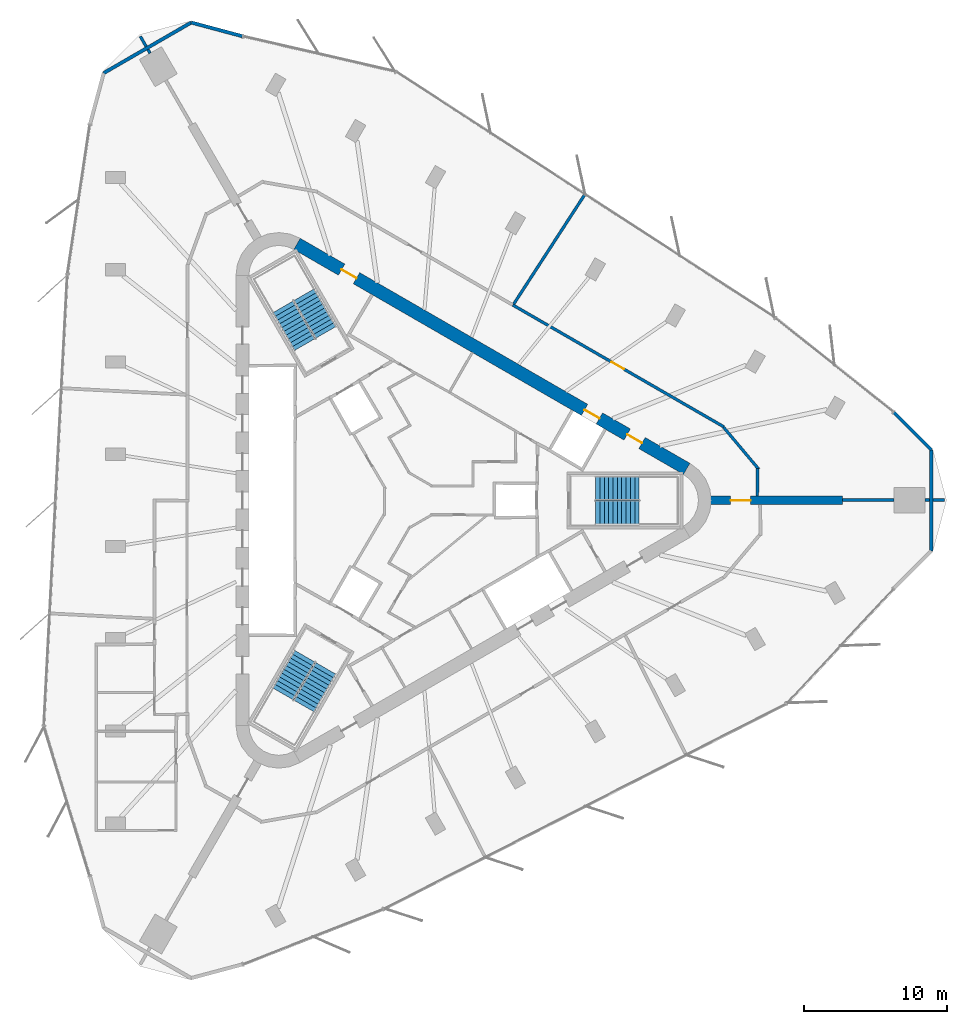
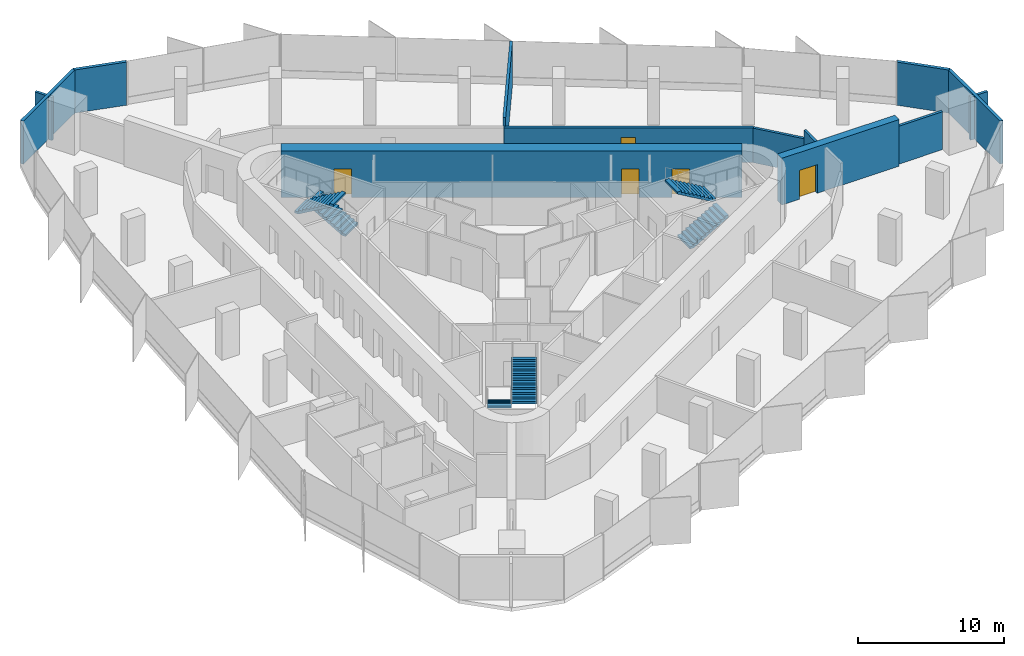
# One storey, part 12 of 13: 15 walls, 6 stair flights, 5 doors, 5 openings, 3 elements without a shape of their own.
"""IFC4 building model written with IfcOpenShell, lengths in metres."""

from ifc_helpers import new_model, si_unit, direction, frame, frame_2d, origin, place, context, subcontext, project, spatial, polyline, rectangle, outline, extrude, material, layer, layer_set, type_object, element, fill, aggregate, save


model = new_model("IFC4")

# Units and contexts
model_context = context("Model", 3, precision=1e-05, world=origin(), true_north=direction((0.0, 1.0)))
body_context = subcontext(model_context, "Body", "Model", "MODEL_VIEW")
ifc_project = project(units=[si_unit("LENGTHUNIT", "METRE"), si_unit("AREAUNIT", "SQUARE_METRE"), si_unit("VOLUMEUNIT", "CUBIC_METRE"), si_unit("PLANEANGLEUNIT", "RADIAN"), si_unit("MASSUNIT", "GRAM", prefix="KILO")], contexts=[model_context])

# Site, building, storey
site_placement = place(None, origin())
site = spatial("IfcSite", under=ifc_project, at=site_placement, CompositionType="ELEMENT")
building_placement = place(site_placement, origin())
building = spatial("IfcBuilding", under=site, at=building_placement, Name="Tanit Gate Tower", CompositionType="ELEMENT")
storey_placement = place(building_placement, frame((0.0, 0.0, 318.199951171875)))
storey = spatial("IfcBuildingStorey", under=building, at=storey_placement, Name="L71", CompositionType="ELEMENT", Elevation=318.199951171875)

# Wall, opening, door
ifc_material_1 = material(Name="Concrete C40/50", Category="concrete")
ifc_layer_1 = layer(ifc_material_1, 0.60009765625)
ifc_layer_set_1 = layer_set([ifc_layer_1], Name="BUTTRESS FIN 600 C40/50")
wall_type_1 = type_object("IfcWallType", Name="BUTTRESS FIN 600 C40/50", PredefinedType="SHEAR", material=ifc_layer_set_1)
wall_1_placement = place(storey_placement, frame((21.14990234375, 0.0, 0.0), z_axis=(0.0, 0.0, 1.0), x_axis=(1.0, 0.0, 0.0)))
wall_1 = element("IfcWall", 1, at=wall_1_placement, inside=storey, type_object=wall_type_1, Name="BUTTRESS FIN", PredefinedType="SHEAR", context=body_context, shape_type="SweptSolid", body=[
    extrude(rectangle(XDim=9.253662109375, YDim=0.60009765625, at=frame_2d((4.626953125, 0.0))), origin(), (0.0, 0.0, 1.0), 3.900146484375),
])
opening_1_placement = place(wall_1_placement, frame((1.39990234375, 0.0, 0.0)))
opening_1 = element("IfcOpeningElement", 2, at=opening_1_placement, cuts=wall_1, Name="Opening P14-S19-F-E-1", PredefinedType="OPENING", context=body_context, shape_type="SweptSolid", body=[
    extrude(rectangle(XDim=1.39990234375, YDim=2.39990234375, at=frame_2d((0.699951171875, 1.199951171875))), frame((0.0, 0.31005859375, 0.0), z_axis=(0.0, -1.0, 0.0), x_axis=(1.0, 0.0, 0.0)), (0.0, 0.0, 1.0), 0.6201171875),
])
ifc_material_2 = material(Name="Timber door leaf", Category="wood")
door_type_1 = type_object("IfcDoorType", Name="INT-DOOR-FIN-PAIR-1400", OperationType="NOTDEFINED", PredefinedType="NOTDEFINED", material=ifc_material_2)
door_1_placement = place(opening_1_placement, origin())
door_1 = element("IfcDoor", 3, at=door_1_placement, inside=storey, type_object=door_type_1, Name="Door P14-S19-F-E-1", OperationType="DOUBLE_DOOR_SINGLE_SWING", OverallHeight=2.39990234375, OverallWidth=1.39990234375, PredefinedType="NOTDEFINED", context=body_context, shape_type="SweptSolid", body=[
    extrude(rectangle(XDim=1.39990234375, YDim=2.39990234375, at=frame_2d((0.699951171875, 1.199951171875))), frame((0.0, 0.02490234375, 0.0), z_axis=(0.0, -1.0, 0.0), x_axis=(1.0, 0.0, 0.0)), (0.0, 0.0, 1.0), 0.050048828125),
])
fill(opening_1, door_1)

# Wall, openings, doors
ifc_material_3 = material(Name="Concrete C40/50", Category="concrete")
ifc_layer_2 = layer(ifc_material_3, 0.89990234375)
ifc_layer_set_2 = layer_set([ifc_layer_2], Name="CORE WALL 900 C40/50")
wall_type_2 = type_object("IfcWallType", Name="CORE WALL 900 C40/50", PredefinedType="SHEAR", material=ifc_layer_set_2)
wall_2_placement = place(storey_placement, frame((19.47509765625, 2.20849609375, 0.0), z_axis=(0.0, 0.0, 1.0), x_axis=(-0.866028369851, 0.499994862586, 0.0)))
wall_2 = element("IfcWall", 4, at=wall_2_placement, inside=storey, type_object=wall_type_2, Name="CORE WALL", PredefinedType="SHEAR", context=body_context, shape_type="SweptSolid", body=[
    extrude(rectangle(XDim=31.523193359375, YDim=0.89990234375, at=frame_2d((15.76171875, 0.0))), origin(), (0.0, 0.0, 1.0), 3.900146484375),
])
opening_2_placement = place(wall_2_placement, frame((7.0615234375, 0.0, 0.0)))
opening_2 = element("IfcOpeningElement", 5, at=opening_2_placement, cuts=wall_2, Name="Opening LDHL8-S19", PredefinedType="OPENING", context=body_context, shape_type="SweptSolid", body=[
    extrude(rectangle(XDim=1.199951171875, YDim=2.39990234375, at=frame_2d((0.60009765625, 1.199951171875))), frame((0.0, 0.4599609375, 0.0), z_axis=(0.0, -1.0, 0.0), x_axis=(1.0, 0.0, 0.0)), (0.0, 0.0, 1.0), 0.919921875),
])
opening_3_placement = place(wall_2_placement, frame((3.611572265625, 0.0, 0.0)))
opening_3 = element("IfcOpeningElement", 6, at=opening_3_placement, cuts=wall_2, Name="Opening F12-S19-FL1", PredefinedType="OPENING", context=body_context, shape_type="SweptSolid", body=[
    extrude(rectangle(XDim=1.199951171875, YDim=2.39990234375, at=frame_2d((0.60009765625, 1.199951171875))), frame((0.0, 0.4599609375, 0.0), z_axis=(0.0, -1.0, 0.0), x_axis=(1.0, 0.0, 0.0)), (0.0, 0.0, 1.0), 0.919921875),
])
opening_4_placement = place(wall_2_placement, frame((26.711669921875, 0.0, 0.0)))
opening_4 = element("IfcOpeningElement", 7, at=opening_4_placement, cuts=wall_2, Name="Opening F12-S19-S2", PredefinedType="OPENING", context=body_context, shape_type="SweptSolid", body=[
    extrude(rectangle(XDim=1.199951171875, YDim=2.39990234375, at=frame_2d((0.60009765625, 1.199951171875))), frame((0.0, 0.4599609375, 0.0), z_axis=(0.0, -1.0, 0.0), x_axis=(1.0, 0.0, 0.0)), (0.0, 0.0, 1.0), 0.919921875),
])
ifc_material_4 = material(Name="Fire-rated steel door leaf", Category="steel")
door_type_2 = type_object("IfcDoorType", Name="INT-DOOR-FIRE-LOBBY-1200", OperationType="NOTDEFINED", PredefinedType="USERDEFINED", material=ifc_material_4)
door_2_placement = place(opening_3_placement, origin())
door_2 = element("IfcDoor", 8, at=door_2_placement, inside=storey, type_object=door_type_2, Name="Door F12-S19-FL1", ObjectType="FIRE DOOR", OperationType="SINGLE_SWING_RIGHT", OverallHeight=2.39990234375, OverallWidth=1.199951171875, PredefinedType="USERDEFINED", context=body_context, shape_type="SweptSolid", body=[
    extrude(rectangle(XDim=1.199951171875, YDim=2.39990234375, at=frame_2d((0.60009765625, 1.199951171875))), frame((0.0, 0.02490234375, 0.0), z_axis=(0.0, -1.0, 0.0), x_axis=(1.0, 0.0, 0.0)), (0.0, 0.0, 1.0), 0.050048828125),
])
fill(opening_3, door_2)
door_3_placement = place(opening_4_placement, origin())
door_3 = element("IfcDoor", 9, at=door_3_placement, inside=storey, type_object=door_type_2, Name="Door F12-S19-S2", ObjectType="FIRE DOOR", OperationType="SINGLE_SWING_LEFT", OverallHeight=2.39990234375, OverallWidth=1.199951171875, PredefinedType="USERDEFINED", context=body_context, shape_type="SweptSolid", body=[
    extrude(rectangle(XDim=1.199951171875, YDim=2.39990234375, at=frame_2d((0.60009765625, 1.199951171875))), frame((0.0, 0.02490234375, 0.0), z_axis=(0.0, -1.0, 0.0), x_axis=(1.0, 0.0, 0.0)), (0.0, 0.0, 1.0), 0.050048828125),
])
fill(opening_4, door_3)
ifc_material_5 = material(Name="Stainless steel sliding door leaf", Category="steel")
door_type_3 = type_object("IfcDoorType", Name="INT-DOOR-LANDING-1200", OperationType="NOTDEFINED", PredefinedType="USERDEFINED", material=ifc_material_5)
door_4_placement = place(opening_2_placement, origin())
door_4 = element("IfcDoor", 10, at=door_4_placement, inside=storey, type_object=door_type_3, Name="Door LDHL8-S19", ObjectType="LANDING DOOR", OperationType="SLIDING_TO_LEFT", OverallHeight=2.39990234375, OverallWidth=1.199951171875, PredefinedType="USERDEFINED", context=body_context, shape_type="SweptSolid", body=[
    extrude(rectangle(XDim=1.199951171875, YDim=2.39990234375, at=frame_2d((0.60009765625, 1.199951171875))), frame((0.0, 0.02490234375, 0.0), z_axis=(0.0, -1.0, 0.0), x_axis=(1.0, 0.0, 0.0)), (0.0, 0.0, 1.0), 0.050048828125),
])
fill(opening_2, door_4)

# Walls
ifc_material_6 = material(Name="Concrete C30/37 with bronze anodised aluminium cladding", Category="concrete")
ifc_layer_3 = layer(ifc_material_6, 0.239990234375)
ifc_layer_set_3 = layer_set([ifc_layer_3], Name="Facade wall bronze clad 240")
wall_type_3 = type_object("IfcWallType", Name="Facade wall bronze clad 240", PredefinedType="SOLIDWALL", material=ifc_layer_set_3)
wall_3_placement = place(storey_placement, frame((-11.654296875, 32.517822265625, 0.0), z_axis=(0.0, 0.0, 1.0), x_axis=(-0.965928052649, 0.258810736071, 0.0)))
element("IfcWall", 11, at=wall_3_placement, inside=storey, type_object=wall_type_3, Name="Bronze-clad facade wall L71 NW.arc1", PredefinedType="SOLIDWALL", context=body_context, shape_type="SweptSolid", body=[
    extrude(rectangle(XDim=3.705322265625, YDim=0.239990234375, at=frame_2d((1.8525390625, 0.0))), origin(), (0.0, 0.0, 1.0), 3.60009765625),
])
wall_4_placement = place(storey_placement, frame((-15.2333984375, 33.476806640625, 0.0), z_axis=(0.0, 0.0, 1.0), x_axis=(-0.866031377081, -0.499989653803, 0.0)))
element("IfcWall", 12, at=wall_4_placement, inside=storey, type_object=wall_type_3, Name="Bronze-clad facade wall L71 NW.arc2", PredefinedType="SOLIDWALL", context=body_context, shape_type="SweptSolid", body=[
    extrude(rectangle(XDim=7.092041015625, YDim=0.239990234375, at=frame_2d((3.5458984375, 0.0))), origin(), (0.0, 0.0, 1.0), 3.60009765625),
])
wall_5_placement = place(storey_placement, frame((36.6083984375, -3.5458984375, 0.0), z_axis=(0.0, 0.0, 1.0), x_axis=(0.0, 1.0, 0.0)))
element("IfcWall", 13, at=wall_5_placement, inside=storey, type_object=wall_type_3, Name="Bronze-clad facade wall L71 E.arc2", PredefinedType="SOLIDWALL", context=body_context, shape_type="SweptSolid", body=[
    extrude(rectangle(XDim=7.091796875, YDim=0.239990234375, at=frame_2d((3.5458984375, 0.0))), origin(), (0.0, 0.0, 1.0), 3.60009765625),
])
wall_6_placement = place(storey_placement, frame((36.6083984375, 3.5458984375, 0.0), z_axis=(0.0, 0.0, 1.0), x_axis=(-0.707106781187, 0.707106781187, 0.0)))
element("IfcWall", 14, at=wall_6_placement, inside=storey, type_object=wall_type_3, Name="Bronze-clad facade wall L71 E.arc3", PredefinedType="SOLIDWALL", context=body_context, shape_type="SweptSolid", body=[
    extrude(rectangle(XDim=3.696533203125, YDim=0.239990234375, at=frame_2d((1.84814453125, 0.0))), origin(), (0.0, 0.0, 1.0), 3.60009765625),
])

# Wall, opening, door
ifc_material_7 = material(Name="Fire-rated gypsum board partition")
ifc_layer_4 = layer(ifc_material_7, 0.199951171875)
ifc_layer_set_4 = layer_set([ifc_layer_4], Name="INT-WALL-COMPARTMENT")
wall_type_4 = type_object("IfcWallType", Name="INT-WALL-COMPARTMENT", PredefinedType="PARTITIONING", material=ifc_layer_set_4)
wall_7_placement = place(storey_placement, frame((22.074462890625, 5.153076171875, 0.0), z_axis=(0.0, 0.0, 1.0), x_axis=(-0.866024844342, 0.500000968981, 0.0)))
wall_7 = element("IfcWall", 15, at=wall_7_placement, inside=storey, type_object=wall_type_4, Name="Wall Compartment W107", PredefinedType="PARTITIONING", context=body_context, shape_type="SweptSolid", body=[
    extrude(rectangle(XDim=17.07275390625, YDim=0.199951171875, at=frame_2d((8.536376953125, 0.0))), origin(), (0.0, 0.0, 1.0), 2.880126953125),
])
opening_5_placement = place(wall_7_placement, frame((8.074951171875, 0.0, 0.0)))
opening_5 = element("IfcOpeningElement", 16, at=opening_5_placement, cuts=wall_7, Name="Opening F10-S19-29", PredefinedType="OPENING", context=body_context, shape_type="SweptSolid", body=[
    extrude(rectangle(XDim=1.0, YDim=2.10009765625, at=frame_2d((0.5, 1.050048828125))), frame((0.0, 0.10986328125, 0.0), z_axis=(0.0, -1.0, 0.0), x_axis=(1.0, 0.0, 0.0)), (0.0, 0.0, 1.0), 0.219970703125),
])
ifc_material_8 = material(Name="Fire-rated steel door leaf", Category="steel")
door_type_4 = type_object("IfcDoorType", Name="INT-DOOR-FIRE-1000", OperationType="NOTDEFINED", PredefinedType="USERDEFINED", material=ifc_material_8)
door_5_placement = place(opening_5_placement, origin())
door_5 = element("IfcDoor", 17, at=door_5_placement, inside=storey, type_object=door_type_4, Name="Door F10-S19-29", ObjectType="FIRE DOOR", OperationType="SINGLE_SWING_RIGHT", OverallHeight=2.10009765625, OverallWidth=1.0, PredefinedType="USERDEFINED", context=body_context, shape_type="SweptSolid", body=[
    extrude(rectangle(XDim=1.0, YDim=2.10009765625, at=frame_2d((0.5, 1.050048828125))), frame((0.0, 0.02490234375, 0.0), z_axis=(0.0, -1.0, 0.0), x_axis=(1.0, 0.0, 0.0)), (0.0, 0.0, 1.0), 0.050048828125),
])
fill(opening_5, door_5)

# Walls
wall_8_placement = place(storey_placement, frame((24.520751953125, 2.1845703125, 0.0), z_axis=(0.0, 0.0, 1.0), x_axis=(-0.642781993054, 0.766049155998, 0.0)))
element("IfcWall", 18, at=wall_8_placement, inside=storey, type_object=wall_type_4, Name="Wall Compartment W108", PredefinedType="PARTITIONING", context=body_context, shape_type="SweptSolid", body=[
    extrude(rectangle(XDim=3.84033203125, YDim=0.199951171875, at=frame_2d((1.920166015625, 0.0))), origin(), (0.0, 0.0, 1.0), 2.880126953125),
])
wall_9_placement = place(storey_placement, frame((24.420166015625, 0.300048828125, 0.0), z_axis=(0.0, 0.0, 1.0), x_axis=(0.013193472226, 0.999912962358, 0.0)))
element("IfcWall", 19, at=wall_9_placement, inside=storey, type_object=wall_type_4, Name="Wall Compartment W109", PredefinedType="PARTITIONING", context=body_context, shape_type="SweptSolid", body=[
    extrude(rectangle(XDim=1.924560546875, YDim=0.199951171875, at=frame_2d((0.96240234375, 0.0))), origin(), (0.0, 0.0, 1.0), 3.60009765625),
])
wall_10_placement = place(storey_placement, frame((-18.80126953125, 32.5048828125, 0.0), z_axis=(0.0, 0.0, 1.0), x_axis=(0.499970888758, -0.866042210515, 0.0)))
element("IfcWall", 20, at=wall_10_placement, inside=storey, type_object=wall_type_4, Name="Wall Compartment W130", PredefinedType="PARTITIONING", context=body_context, shape_type="SweptSolid", body=[
    extrude(rectangle(XDim=0.822265625, YDim=0.199951171875, at=frame_2d((0.4111328125, 0.0))), origin(), (0.0, 0.0, 1.0), 3.60009765625),
])
wall_11_placement = place(storey_placement, frame((-18.270263671875, 31.5849609375, 0.0), z_axis=(0.0, 0.0, 1.0), x_axis=(0.500091252813, -0.865972712538, 0.0)))
element("IfcWall", 21, at=wall_11_placement, inside=storey, type_object=wall_type_4, Name="Wall Compartment W130x1", PredefinedType="PARTITIONING", context=body_context, shape_type="SweptSolid", body=[
    extrude(rectangle(XDim=0.3056640625, YDim=0.199951171875, at=frame_2d((0.15283203125, 0.0))), origin(), (0.0, 0.0, 1.0), 3.60009765625),
])
wall_12_placement = place(storey_placement, frame((7.36328125, 13.76220703125, 0.0), z_axis=(0.0, 0.0, 1.0), x_axis=(0.544349469572, 0.838858542888, 0.0)))
element("IfcWall", 22, at=wall_12_placement, inside=storey, type_object=wall_type_4, Name="Wall Compartment W132", PredefinedType="PARTITIONING", context=body_context, shape_type="SweptSolid", body=[
    extrude(rectangle(XDim=9.1494140625, YDim=0.199951171875, at=frame_2d((4.57470703125, 0.0))), origin(), (0.0, 0.0, 1.0), 3.60009765625),
])
wall_13_placement = place(storey_placement, frame((30.403564453125, 0.0185546875, 0.0), z_axis=(0.0, 0.0, 1.0), x_axis=(0.999994861514, 0.00320576758, 0.0)))
element("IfcWall", 23, at=wall_13_placement, inside=storey, type_object=wall_type_4, Name="Wall Compartment W133", PredefinedType="PARTITIONING", context=body_context, shape_type="SweptSolid", body=[
    extrude(rectangle(XDim=3.579345703125, YDim=0.199951171875, at=frame_2d((1.78955078125, 0.0))), origin(), (0.0, 0.0, 1.0), 3.170166015625),
])
wall_14_placement = place(storey_placement, frame((36.182861328125, 0.030029296875, 0.0), z_axis=(0.0, 0.0, 1.0), x_axis=(1.0, 0.0, 0.0)))
element("IfcWall", 24, at=wall_14_placement, inside=storey, type_object=wall_type_4, Name="Wall Compartment W134", PredefinedType="PARTITIONING", context=body_context, shape_type="SweptSolid", body=[
    extrude(rectangle(XDim=0.3056640625, YDim=0.199951171875, at=frame_2d((0.15283203125, 0.0))), origin(), (0.0, 0.0, 1.0), 3.60009765625),
])
wall_15_placement = place(storey_placement, frame((36.728515625, 0.030029296875, 0.0), z_axis=(0.0, 0.0, 1.0), x_axis=(1.0, 0.0, 0.0)))
element("IfcWall", 25, at=wall_15_placement, inside=storey, type_object=wall_type_4, Name="Wall Compartment W134x1", PredefinedType="PARTITIONING", context=body_context, shape_type="SweptSolid", body=[
    extrude(rectangle(XDim=0.822021484375, YDim=0.199951171875, at=frame_2d((0.4111328125, 0.0))), origin(), (0.0, 0.0, 1.0), 3.60009765625),
])

# Stair, stair flights
ifc_material_9 = material(Name="Concrete C40/50", Category="concrete")
stair_type = type_object("IfcStairType", Name="INT-STAIR-EXIT", PredefinedType="HALF_TURN_STAIR", material=ifc_material_9)
stair_1_placement = place(storey_placement, origin())
stair_1 = element("IfcStair", 26, at=stair_1_placement, inside=storey, type_object=stair_type, Name="L71 STAIR S1", PredefinedType="HALF_TURN_STAIR")
ifc_material_10 = material(Name="Concrete C40/50", Category="concrete")
stair_flight_type = type_object("IfcStairFlightType", Name="INT-STAIR-FLIGHT", PredefinedType="STRAIGHT", material=ifc_material_10)
stair_flight_1_placement = place(storey_placement, frame((13.094970703125, -0.8525390625, 0.0), z_axis=(0.0, 0.0, 1.0), x_axis=(1.0, 0.0, 0.0)))
stair_flight_1 = element("IfcStairFlight", 27, at=stair_flight_1_placement, type_object=stair_flight_type, Name="S1 flight 1", NumberOfRisers=11, NumberOfTreads=10, PredefinedType="STRAIGHT", RiserHeight=0.177272727, TreadLength=0.3051, context=body_context, shape_type="SweptSolid", body=[
    extrude(outline(polyline([(0.0, 0.0), (0.0, 0.17724609375), (0.30517578125, 0.17724609375), (0.30517578125, 0.3544921875), (0.610107421875, 0.3544921875), (0.610107421875, 0.53173828125), (0.915283203125, 0.53173828125), (0.915283203125, 0.708984375), (1.220458984375, 0.708984375), (1.220458984375, 0.886474609375), (1.525390625, 0.886474609375), (1.525390625, 1.063720703125), (1.83056640625, 1.063720703125), (1.83056640625, 1.240966796875), (2.1357421875, 1.240966796875), (2.1357421875, 1.418212890625), (2.44091796875, 1.418212890625), (2.44091796875, 1.595458984375), (2.745849609375, 1.595458984375), (2.745849609375, 1.772705078125), (3.051025390625, 1.772705078125), (3.051025390625, 1.949951171875), (3.051025390625, 1.599365234375), (0.29833984375, 0.0), (0.0, 0.0)])), frame((0.0, 0.84765625, 0.0), z_axis=(0.0, -1.0, 0.0), x_axis=(1.0, 0.0, 0.0)), (0.0, 0.0, 1.0), 1.695068359375),
])
stair_flight_2_placement = place(storey_placement, frame((16.14599609375, 0.8525390625, 1.949951171875), z_axis=(0.0, 0.0, 1.0), x_axis=(-1.0, 0.0, 0.0)))
stair_flight_2 = element("IfcStairFlight", 28, at=stair_flight_2_placement, type_object=stair_flight_type, Name="S1 flight 2", NumberOfRisers=11, NumberOfTreads=10, PredefinedType="STRAIGHT", RiserHeight=0.177272727, TreadLength=0.3051, context=body_context, shape_type="SweptSolid", body=[
    extrude(outline(polyline([(0.0, 0.0), (0.0, 0.17724609375), (0.30517578125, 0.17724609375), (0.30517578125, 0.3544921875), (0.610107421875, 0.3544921875), (0.610107421875, 0.53173828125), (0.915283203125, 0.53173828125), (0.915283203125, 0.708984375), (1.220458984375, 0.708984375), (1.220458984375, 0.886474609375), (1.525390625, 0.886474609375), (1.525390625, 1.063720703125), (1.83056640625, 1.063720703125), (1.83056640625, 1.240966796875), (2.1357421875, 1.240966796875), (2.1357421875, 1.418212890625), (2.44091796875, 1.418212890625), (2.44091796875, 1.595458984375), (2.745849609375, 1.595458984375), (2.745849609375, 1.772705078125), (3.051025390625, 1.772705078125), (3.051025390625, 1.949951171875), (3.051025390625, 1.599365234375), (0.29833984375, 0.0), (0.0, 0.0)])), frame((0.0, 0.84765625, 0.0), z_axis=(0.0, -1.0, 0.0), x_axis=(1.0, 0.0, 0.0)), (0.0, 0.0, 1.0), 1.695068359375),
])
aggregate(stair_1, [stair_flight_1, stair_flight_2])

stair_2_placement = place(storey_placement, origin())
stair_2 = element("IfcStair", 29, at=stair_2_placement, inside=storey, type_object=stair_type, Name="L71 STAIR S2", PredefinedType="HALF_TURN_STAIR")
stair_flight_3_placement = place(storey_placement, frame((-5.808349609375, 11.766357421875, 0.0), z_axis=(0.0, 0.0, 1.0), x_axis=(-0.5, 0.866025403784, 0.0)))
stair_flight_3 = element("IfcStairFlight", 30, at=stair_flight_3_placement, type_object=stair_flight_type, Name="S2 flight 1", NumberOfRisers=11, NumberOfTreads=10, PredefinedType="STRAIGHT", RiserHeight=0.177272727, TreadLength=0.30492, context=body_context, shape_type="SweptSolid", body=[
    extrude(outline(polyline([(0.0, 0.0), (0.0, 0.17724609375), (0.304931640625, 0.17724609375), (0.304931640625, 0.3544921875), (0.60986328125, 0.3544921875), (0.60986328125, 0.53173828125), (0.914794921875, 0.53173828125), (0.914794921875, 0.708984375), (1.2197265625, 0.708984375), (1.2197265625, 0.886474609375), (1.524658203125, 0.886474609375), (1.524658203125, 1.063720703125), (1.82958984375, 1.063720703125), (1.82958984375, 1.240966796875), (2.134521484375, 1.240966796875), (2.134521484375, 1.418212890625), (2.439453125, 1.418212890625), (2.439453125, 1.595458984375), (2.744384765625, 1.595458984375), (2.744384765625, 1.772705078125), (3.04931640625, 1.772705078125), (3.04931640625, 1.949951171875), (3.04931640625, 1.599365234375), (0.29833984375, 0.0), (0.0, 0.0)])), frame((0.0, 0.84716796875, 0.0), z_axis=(0.0, -1.0, 0.0), x_axis=(1.0, 0.0, 0.0)), (0.0, 0.0, 1.0), 1.694091796875),
])
stair_flight_4_placement = place(storey_placement, frame((-8.810302734375, 13.553955078125, 1.949951171875), z_axis=(0.0, 0.0, 1.0), x_axis=(0.5, -0.866025403784, 0.0)))
stair_flight_4 = element("IfcStairFlight", 31, at=stair_flight_4_placement, type_object=stair_flight_type, Name="S2 flight 2", NumberOfRisers=11, NumberOfTreads=10, PredefinedType="STRAIGHT", RiserHeight=0.177272727, TreadLength=0.30492, context=body_context, shape_type="SweptSolid", body=[
    extrude(outline(polyline([(0.0, 0.0), (0.0, 0.17724609375), (0.304931640625, 0.17724609375), (0.304931640625, 0.3544921875), (0.60986328125, 0.3544921875), (0.60986328125, 0.53173828125), (0.914794921875, 0.53173828125), (0.914794921875, 0.708984375), (1.2197265625, 0.708984375), (1.2197265625, 0.886474609375), (1.524658203125, 0.886474609375), (1.524658203125, 1.063720703125), (1.82958984375, 1.063720703125), (1.82958984375, 1.240966796875), (2.134521484375, 1.240966796875), (2.134521484375, 1.418212890625), (2.439453125, 1.418212890625), (2.439453125, 1.595458984375), (2.744384765625, 1.595458984375), (2.744384765625, 1.772705078125), (3.04931640625, 1.772705078125), (3.04931640625, 1.949951171875), (3.04931640625, 1.599365234375), (0.29833984375, 0.0), (0.0, 0.0)])), frame((0.0, 0.84716796875, 0.0), z_axis=(0.0, -1.0, 0.0), x_axis=(1.0, 0.0, 0.0)), (0.0, 0.0, 1.0), 1.694091796875),
])
aggregate(stair_2, [stair_flight_3, stair_flight_4])

stair_3_placement = place(storey_placement, origin())
stair_3 = element("IfcStair", 32, at=stair_3_placement, inside=storey, type_object=stair_type, Name="L71 STAIR S3", PredefinedType="HALF_TURN_STAIR")
stair_flight_5_placement = place(storey_placement, frame((-7.285888671875, -10.914306640625, 0.0), z_axis=(0.0, 0.0, 1.0), x_axis=(-0.5, -0.866025403784, 0.0)))
stair_flight_5 = element("IfcStairFlight", 33, at=stair_flight_5_placement, type_object=stair_flight_type, Name="S3 flight 1", NumberOfRisers=11, NumberOfTreads=10, PredefinedType="STRAIGHT", RiserHeight=0.177272727, TreadLength=0.3051, context=body_context, shape_type="SweptSolid", body=[
    extrude(outline(polyline([(0.0, 0.0), (0.0, 0.17724609375), (0.30517578125, 0.17724609375), (0.30517578125, 0.3544921875), (0.610107421875, 0.3544921875), (0.610107421875, 0.53173828125), (0.915283203125, 0.53173828125), (0.915283203125, 0.708984375), (1.220458984375, 0.708984375), (1.220458984375, 0.886474609375), (1.525390625, 0.886474609375), (1.525390625, 1.063720703125), (1.83056640625, 1.063720703125), (1.83056640625, 1.240966796875), (2.1357421875, 1.240966796875), (2.1357421875, 1.418212890625), (2.44091796875, 1.418212890625), (2.44091796875, 1.595458984375), (2.745849609375, 1.595458984375), (2.745849609375, 1.772705078125), (3.051025390625, 1.772705078125), (3.051025390625, 1.949951171875), (3.051025390625, 1.599365234375), (0.29833984375, 0.0), (0.0, 0.0)])), frame((0.0, 0.84765625, 0.0), z_axis=(0.0, -1.0, 0.0), x_axis=(1.0, 0.0, 0.0)), (0.0, 0.0, 1.0), 1.695068359375),
])
stair_flight_6_placement = place(storey_placement, frame((-7.334716796875, -14.4091796875, 1.949951171875), z_axis=(0.0, 0.0, 1.0), x_axis=(0.5, 0.866025403784, 0.0)))
stair_flight_6 = element("IfcStairFlight", 34, at=stair_flight_6_placement, type_object=stair_flight_type, Name="S3 flight 2", NumberOfRisers=11, NumberOfTreads=10, PredefinedType="STRAIGHT", RiserHeight=0.177272727, TreadLength=0.3051, context=body_context, shape_type="SweptSolid", body=[
    extrude(outline(polyline([(0.0, 0.0), (0.0, 0.17724609375), (0.30517578125, 0.17724609375), (0.30517578125, 0.3544921875), (0.610107421875, 0.3544921875), (0.610107421875, 0.53173828125), (0.915283203125, 0.53173828125), (0.915283203125, 0.708984375), (1.220458984375, 0.708984375), (1.220458984375, 0.886474609375), (1.525390625, 0.886474609375), (1.525390625, 1.063720703125), (1.83056640625, 1.063720703125), (1.83056640625, 1.240966796875), (2.1357421875, 1.240966796875), (2.1357421875, 1.418212890625), (2.44091796875, 1.418212890625), (2.44091796875, 1.595458984375), (2.745849609375, 1.595458984375), (2.745849609375, 1.772705078125), (3.051025390625, 1.772705078125), (3.051025390625, 1.949951171875), (3.051025390625, 1.599365234375), (0.29833984375, 0.0), (0.0, 0.0)])), frame((0.0, 0.84765625, 0.0), z_axis=(0.0, -1.0, 0.0), x_axis=(1.0, 0.0, 0.0)), (0.0, 0.0, 1.0), 1.695068359375),
])
aggregate(stair_3, [stair_flight_5, stair_flight_6])

save(model, "model.ifc")
